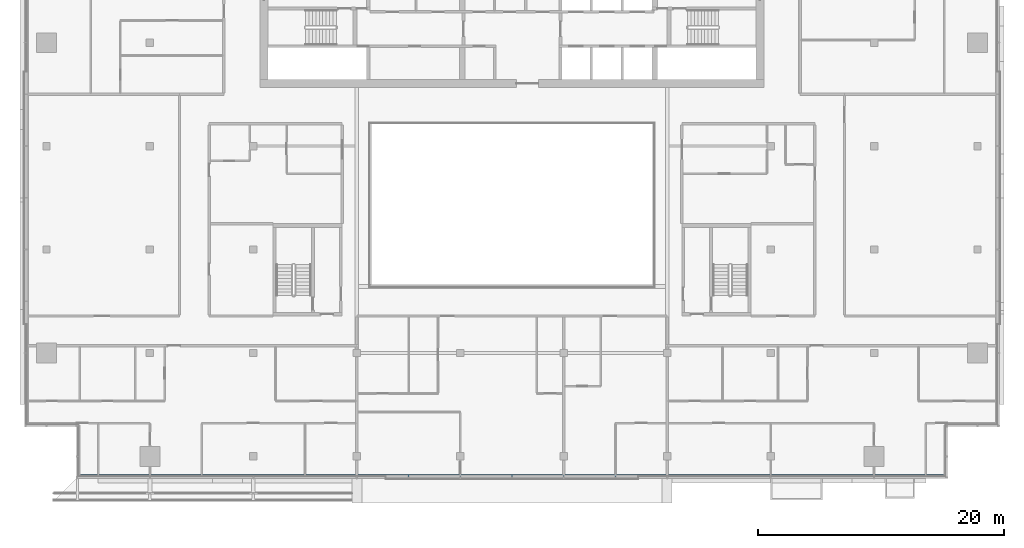
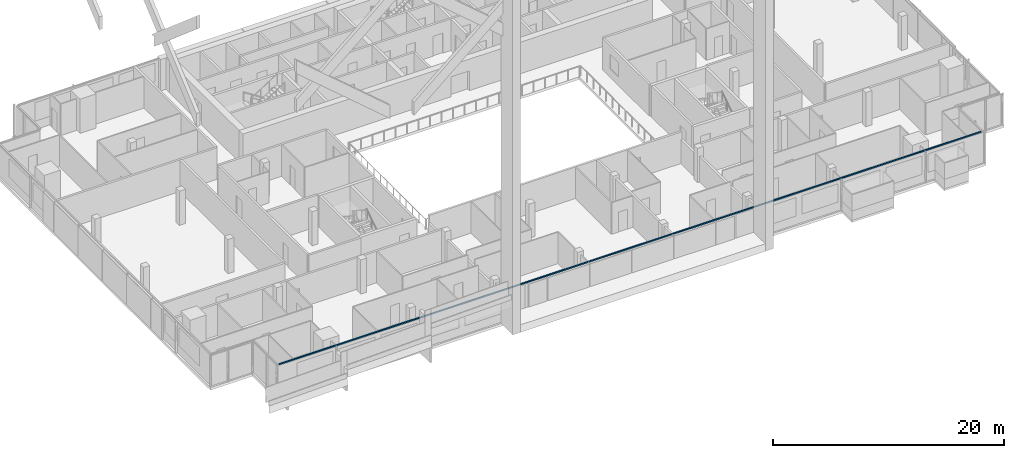
# One storey, part 8 of 31: 1 member, 1 element without a shape of its own.
"""IFC4 building model written with IfcOpenShell, lengths in metres."""

from ifc_helpers import new_model, si_unit, direction, frame, origin, origin_2d, place, context, subcontext, project, spatial, rectangle, extrude, material, material_profile, profile_set, type_object, element, aggregate, save


model = new_model("IFC4")

# Units and contexts
model_context = context("Model", 3, precision=1e-05, world=origin(), true_north=direction((0.0, 1.0)))
body_context = subcontext(model_context, "Body", "Model", "MODEL_VIEW")
ifc_project = project(units=[si_unit("LENGTHUNIT", "METRE"), si_unit("AREAUNIT", "SQUARE_METRE"), si_unit("VOLUMEUNIT", "CUBIC_METRE"), si_unit("PLANEANGLEUNIT", "RADIAN"), si_unit("MASSUNIT", "GRAM", prefix="KILO")], contexts=[model_context])

# Site, building, storey
site_placement = place(None, origin())
site = spatial("IfcSite", under=ifc_project, at=site_placement, CompositionType="ELEMENT")
building_placement = place(site_placement, origin())
building = spatial("IfcBuilding", under=site, at=building_placement, Name="Saffron Gate Tower", CompositionType="ELEMENT")
storey_placement = place(building_placement, frame((0.0, 0.0, 205.5)))
storey = spatial("IfcBuildingStorey", under=building, at=storey_placement, Name="L49", CompositionType="ELEMENT", Elevation=205.5)

# Curtain wall, member
ifc_material = material(Name="Aluminium, bronze anodised", Category="aluminium")
curtain_wall_type = type_object("IfcCurtainWallType", Name="CWS1 curtain wall front facade", PredefinedType="NOTDEFINED", material=ifc_material)
curtain_wall_placement = place(storey_placement, origin())
curtain_wall = element("IfcCurtainWall", 1, at=curtain_wall_placement, inside=storey, type_object=curtain_wall_type, Name="CWS1 run 1", PredefinedType="NOTDEFINED")
ifc_material_profile = material_profile(ifc_material, rectangle(XDim=0.1201171875, YDim=0.1201171875, at=origin_2d()))
ifc_profile_set = profile_set([ifc_material_profile], Name="Aluminium, bronze anodised")
member_type = type_object("IfcMemberType", Name="CWS1 head transom", PredefinedType="USERDEFINED", material=ifc_profile_set)
member_placement = place(storey_placement, frame((52.568115234375, 30.248046875, 3.260009765625), z_axis=(1.0, 0.0, 0.0), x_axis=(0.0, 1.0, 0.0)))
member = element("IfcMember", 2, at=member_placement, type_object=member_type, Name="CWS1 head transom", ObjectType="TRANSOM", PredefinedType="USERDEFINED", context=body_context, shape_type="SweptSolid", body=[
    extrude(rectangle(XDim=0.1201171875, YDim=0.1201171875, at=origin_2d()), origin(), (0.0, 0.0, 1.0), 70.06396484375),
])
aggregate(curtain_wall, [member])

save(model, "model.ifc")
